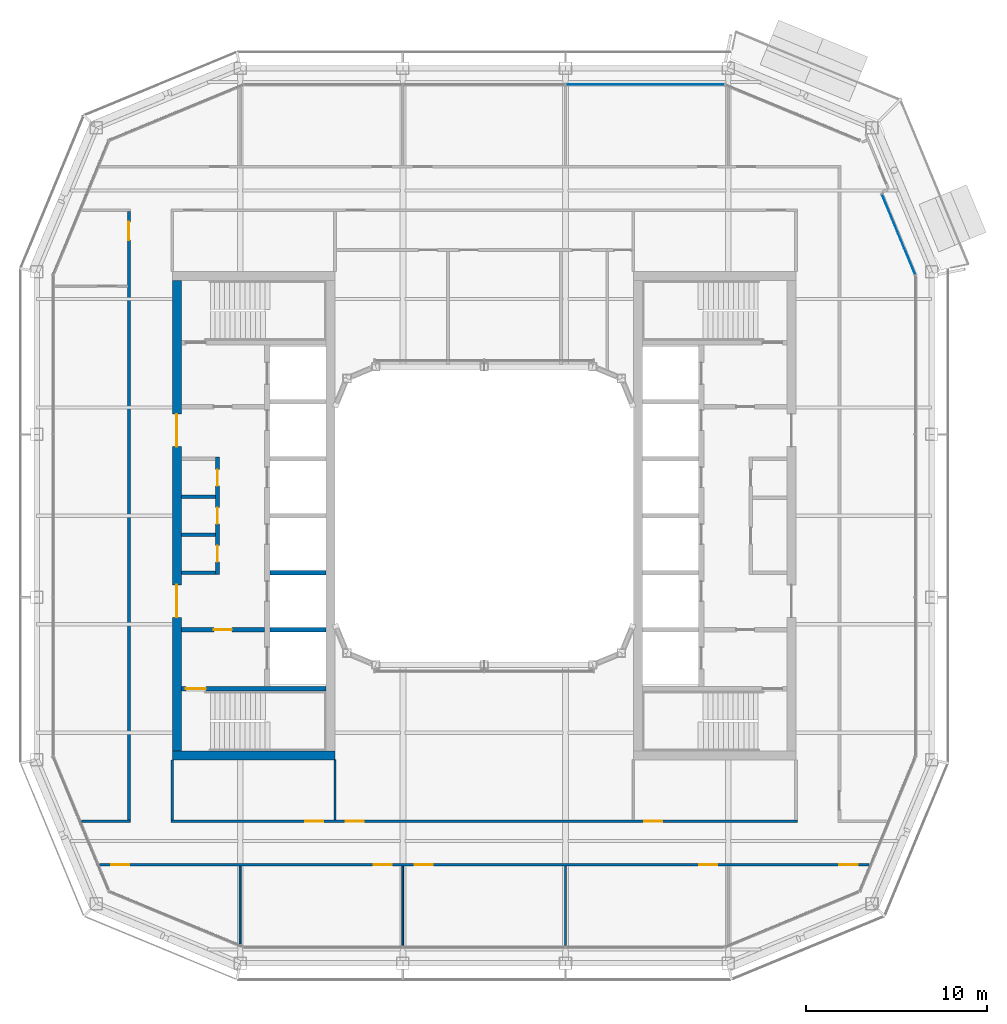
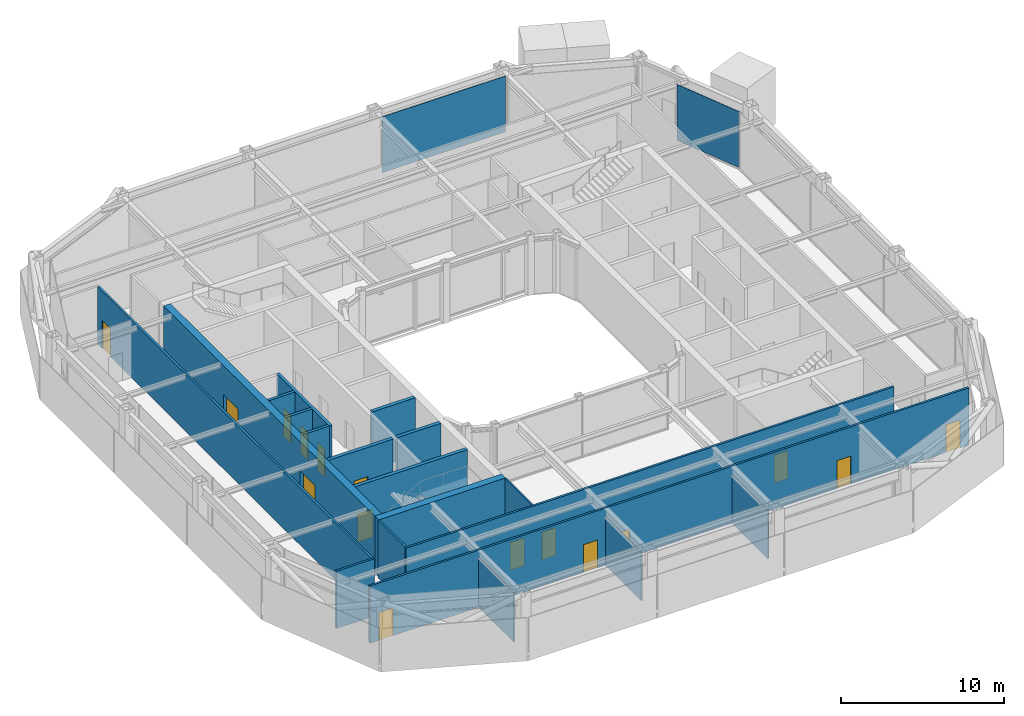
# One storey, part 11 of 21: 19 walls, 16 doors, 2 plates, 16 openings, 2 elements without a shape of their own.
"""IFC4 building model written with IfcOpenShell, lengths in metres."""

from ifc_helpers import new_model, si_unit, direction, frame, frame_2d, origin, origin_2d, place, context, subcontext, project, spatial, rectangle, extrude, material, layer, layer_set, type_object, element, fill, aggregate, save


model = new_model("IFC4")

# Units and contexts
model_context = context("Model", 3, precision=1e-05, world=origin(), true_north=direction((0.0, 1.0)))
body_context = subcontext(model_context, "Body", "Model", "MODEL_VIEW")
ifc_project = project(units=[si_unit("LENGTHUNIT", "METRE"), si_unit("AREAUNIT", "SQUARE_METRE"), si_unit("VOLUMEUNIT", "CUBIC_METRE"), si_unit("PLANEANGLEUNIT", "RADIAN"), si_unit("MASSUNIT", "GRAM", prefix="KILO")], contexts=[model_context])

# Site, building, storey
site_placement = place(None, origin())
site = spatial("IfcSite", under=ifc_project, at=site_placement, CompositionType="ELEMENT")
building_placement = place(site_placement, origin())
building = spatial("IfcBuilding", under=site, at=building_placement, Name="Siwar Civic Tower", CompositionType="ELEMENT")
storey_placement = place(building_placement, frame((0.0, 0.0, 343.699951171875)))
storey = spatial("IfcBuildingStorey", under=building, at=storey_placement, Name="L74", CompositionType="ELEMENT", Elevation=343.699951171875)

# Curtain wall, plate
ifc_material_1 = material(Name="Aluminium and glass", Category="aluminium")
ifc_layer_1 = layer(ifc_material_1, 0.159912109375)
ifc_layer_set_1 = layer_set([ifc_layer_1], Name="Aluminium and glass")
curtain_wall_type_1 = type_object("IfcCurtainWallType", Name="ENV-CW-D", PredefinedType="NOTDEFINED", material=ifc_layer_set_1)
curtain_wall_1_placement = place(storey_placement, origin())
curtain_wall_1 = element("IfcCurtainWall", 1, at=curtain_wall_1_placement, inside=storey, type_object=curtain_wall_type_1, Name="Curtain wall D N", PredefinedType="NOTDEFINED")
ifc_material_2 = material(Name="Glass clear laminated", Category="glass")
ifc_layer_2 = layer(ifc_material_2, 0.030029296875)
ifc_layer_set_2 = layer_set([ifc_layer_2], Name="Glass clear laminated")
plate_type_1 = type_object("IfcPlateType", Name="ENV-PANEL-D", PredefinedType="CURTAIN_PANEL", material=ifc_layer_set_2)
plate_1_placement = place(storey_placement, frame((8.910400390625, 23.85009765625, 0.10009765625), z_axis=(0.0, 0.0, 1.0), x_axis=(-1.0, 0.0, 0.0)))
plate_1 = element("IfcPlate", 2, at=plate_1_placement, type_object=plate_type_1, Name="Curtain panel D N 1", PredefinedType="CURTAIN_PANEL", context=body_context, shape_type="SweptSolid", body=[
    extrude(rectangle(XDim=8.760986328125, YDim=0.030029296875, at=origin_2d()), origin(), (0.0, 0.0, 1.0), 4.199951171875),
])
aggregate(curtain_wall_1, [plate_1])

ifc_material_3 = material(Name="Aluminium clad insulated panel", Category="aluminium")
ifc_layer_3 = layer(ifc_material_3, 0.159912109375)
ifc_layer_set_3 = layer_set([ifc_layer_3], Name="Aluminium clad insulated panel")
curtain_wall_type_2 = type_object("IfcCurtainWallType", Name="ENV-CW-DX", PredefinedType="NOTDEFINED", material=ifc_layer_set_3)
curtain_wall_2_placement = place(storey_placement, origin())
curtain_wall_2 = element("IfcCurtainWall", 3, at=curtain_wall_2_placement, inside=storey, type_object=curtain_wall_type_2, Name="Curtain wall D NE1", PredefinedType="NOTDEFINED")
ifc_material_4 = material(Name="Aluminium clad insulated panel", Category="aluminium")
ifc_layer_4 = layer(ifc_material_4, 0.030029296875)
ifc_layer_set_4 = layer_set([ifc_layer_4], Name="Aluminium clad insulated panel")
plate_type_2 = type_object("IfcPlateType", Name="ENV-PANEL-DX", PredefinedType="CURTAIN_PANEL", material=ifc_layer_set_4)
plate_2_placement = place(storey_placement, frame((22.922607421875, 15.56005859375, 0.10009765625), z_axis=(0.0, 0.0, 1.0), x_axis=(-0.382683432365, 0.923879532511, 0.0)))
plate_2 = element("IfcPlate", 4, at=plate_2_placement, type_object=plate_type_2, Name="Curtain panel D NE1 1", PredefinedType="CURTAIN_PANEL", context=body_context, shape_type="SweptSolid", body=[
    extrude(rectangle(XDim=4.787109375, YDim=0.030029296875, at=origin_2d()), origin(), (0.0, 0.0, 1.0), 4.199951171875),
])
aggregate(curtain_wall_2, [plate_2])

# Wall, openings, doors
ifc_material_5 = material(Name="Gypsum board on steel studs", Category="steel")
ifc_layer_5 = layer(ifc_material_5, 0.199951171875)
ifc_layer_set_5 = layer_set([ifc_layer_5], Name="Gypsum board on steel studs")
wall_type_1 = type_object("IfcWallType", Name="CORE-PARTITION-200", PredefinedType="PARTITIONING", material=ifc_layer_set_5)
wall_1_placement = place(storey_placement, frame((-14.75, -3.25, 0.0), z_axis=(0.0, 0.0, 1.0), x_axis=(0.0, 1.0, 0.0)))
wall_1 = element("IfcWall", 5, at=wall_1_placement, inside=storey, type_object=wall_type_1, Name="Core partition W", PredefinedType="PARTITIONING", context=body_context, shape_type="SweptSolid", body=[
    extrude(rectangle(XDim=6.5, YDim=0.199951171875, at=frame_2d((3.25, 0.0))), origin(), (0.0, 0.0, 1.0), 4.300048828125),
])
opening_1_placement = place(wall_1_placement, frame((0.699951171875, 0.0, 0.0)))
opening_1 = element("IfcOpeningElement", 6, at=opening_1_placement, cuts=wall_1, Name="Opening L74-CW13", PredefinedType="OPENING", context=body_context, shape_type="SweptSolid", body=[
    extrude(rectangle(XDim=0.89990234375, YDim=2.10009765625, at=frame_2d((0.449951171875, 1.050048828125))), frame((0.0, 0.10986328125, 0.0), z_axis=(0.0, -1.0, 0.0), x_axis=(1.0, 0.0, 0.0)), (0.0, 0.0, 1.0), 0.219970703125),
])
opening_2_placement = place(wall_1_placement, frame((2.800048828125, 0.0, 0.0)))
opening_2 = element("IfcOpeningElement", 7, at=opening_2_placement, cuts=wall_1, Name="Opening L74-CW14", PredefinedType="OPENING", context=body_context, shape_type="SweptSolid", body=[
    extrude(rectangle(XDim=0.89990234375, YDim=2.10009765625, at=frame_2d((0.449951171875, 1.050048828125))), frame((0.0, 0.10986328125, 0.0), z_axis=(0.0, -1.0, 0.0), x_axis=(1.0, 0.0, 0.0)), (0.0, 0.0, 1.0), 0.219970703125),
])
opening_3_placement = place(wall_1_placement, frame((4.89990234375, 0.0, 0.0)))
opening_3 = element("IfcOpeningElement", 8, at=opening_3_placement, cuts=wall_1, Name="Opening L74-CW15", PredefinedType="OPENING", context=body_context, shape_type="SweptSolid", body=[
    extrude(rectangle(XDim=0.89990234375, YDim=2.10009765625, at=frame_2d((0.449951171875, 1.050048828125))), frame((0.0, 0.10986328125, 0.0), z_axis=(0.0, -1.0, 0.0), x_axis=(1.0, 0.0, 0.0)), (0.0, 0.0, 1.0), 0.219970703125),
])
ifc_material_6 = material(Name="Steel door leaf", Category="steel")
door_type_1 = type_object("IfcDoorType", Name="CORE-DOOR-ROOM", OperationType="SINGLE_SWING_LEFT", PredefinedType="DOOR", material=ifc_material_6)
door_1_placement = place(opening_1_placement, origin())
door_1 = element("IfcDoor", 9, at=door_1_placement, inside=storey, type_object=door_type_1, Name="Core room door L74-CW13", OperationType="SINGLE_SWING_RIGHT", OverallHeight=2.10009765625, OverallWidth=0.89990234375, PredefinedType="DOOR", context=body_context, shape_type="SweptSolid", body=[
    extrude(rectangle(XDim=0.89990234375, YDim=2.10009765625, at=frame_2d((0.449951171875, 1.050048828125))), frame((0.0, 0.02490234375, 0.0), z_axis=(0.0, -1.0, 0.0), x_axis=(1.0, 0.0, 0.0)), (0.0, 0.0, 1.0), 0.050048828125),
])
fill(opening_1, door_1)
door_2_placement = place(opening_2_placement, origin())
door_2 = element("IfcDoor", 10, at=door_2_placement, inside=storey, type_object=door_type_1, Name="Core room door L74-CW14", OperationType="SINGLE_SWING_RIGHT", OverallHeight=2.10009765625, OverallWidth=0.89990234375, PredefinedType="DOOR", context=body_context, shape_type="SweptSolid", body=[
    extrude(rectangle(XDim=0.89990234375, YDim=2.10009765625, at=frame_2d((0.449951171875, 1.050048828125))), frame((0.0, 0.02490234375, 0.0), z_axis=(0.0, -1.0, 0.0), x_axis=(1.0, 0.0, 0.0)), (0.0, 0.0, 1.0), 0.050048828125),
])
fill(opening_2, door_2)
door_3_placement = place(opening_3_placement, origin())
door_3 = element("IfcDoor", 11, at=door_3_placement, inside=storey, type_object=door_type_1, Name="Core room door L74-CW15", OperationType="SINGLE_SWING_RIGHT", OverallHeight=2.10009765625, OverallWidth=0.89990234375, PredefinedType="DOOR", context=body_context, shape_type="SweptSolid", body=[
    extrude(rectangle(XDim=0.89990234375, YDim=2.10009765625, at=frame_2d((0.449951171875, 1.050048828125))), frame((0.0, 0.02490234375, 0.0), z_axis=(0.0, -1.0, 0.0), x_axis=(1.0, 0.0, 0.0)), (0.0, 0.0, 1.0), 0.050048828125),
])
fill(opening_3, door_3)

# Walls
for number, where, z_axis, x_axis, name in (
    (12, (-14.85009765625, -3.14990234375, 0.0), (0.0, 0.0, 1.0), (-1.0, 0.0, 0.0), "Core partition W"),
    (13, (-14.85009765625, -1.050048828125, 0.0), (0.0, 0.0, 1.0), (-1.0, 0.0, 0.0), "Core partition W"),
    (14, (-14.85009765625, 1.050048828125, 0.0), (0.0, 0.0, 1.0), (-1.0, 0.0, 0.0), "Core partition W"),
):
    element("IfcWall", number, at=place(storey_placement, frame(where, z_axis=z_axis, x_axis=x_axis)), inside=storey, type_object=wall_type_1, Name=name, PredefinedType="PARTITIONING", context=body_context, shape_type="SweptSolid", body=[
        extrude(rectangle(XDim=1.89990234375, YDim=0.199951171875, at=frame_2d((0.949951171875, 0.0))), origin(), (0.0, 0.0, 1.0), 4.300048828125),
    ])

# Wall, opening, door
ifc_material_7 = material(Name="Concrete C60/75", Category="concrete")
ifc_layer_6 = layer(ifc_material_7, 0.25)
ifc_layer_set_6 = layer_set([ifc_layer_6], Name="Concrete C60/75")
wall_type_2 = type_object("IfcWallType", Name="CORE-WALL-RC250", PredefinedType="SHEAR", material=ifc_layer_set_6)
wall_2_placement = place(storey_placement, frame((-12.14990234375, -6.300048828125, 0.0), z_axis=(0.0, 0.0, 1.0), x_axis=(-1.0, 0.0, 0.0)))
wall_2 = element("IfcWall", 15, at=wall_2_placement, inside=storey, type_object=wall_type_2, Name="Core wall W", PredefinedType="SHEAR", context=body_context, shape_type="SweptSolid", body=[
    extrude(rectangle(XDim=4.60009765625, YDim=0.25, at=frame_2d((2.300048828125, 0.0))), origin(), (0.0, 0.0, 1.0), 4.300048828125),
])
opening_4_placement = place(wall_2_placement, frame((1.800048828125, 0.0, 0.0)))
opening_4 = element("IfcOpeningElement", 16, at=opening_4_placement, cuts=wall_2, Name="Opening L74-CW02", PredefinedType="OPENING", context=body_context, shape_type="SweptSolid", body=[
    extrude(rectangle(XDim=1.0, YDim=2.10009765625, at=frame_2d((0.5, 1.050048828125))), frame((0.0, 0.135009765625, 0.0), z_axis=(0.0, -1.0, 0.0), x_axis=(1.0, 0.0, 0.0)), (0.0, 0.0, 1.0), 0.27001953125),
])
ifc_material_8 = material(Name="Steel door leaf", Category="steel")
door_type_2 = type_object("IfcDoorType", Name="CORE-DOOR-FD30S", OperationType="SINGLE_SWING_LEFT", PredefinedType="DOOR", material=ifc_material_8)
door_4_placement = place(opening_4_placement, origin())
door_4 = element("IfcDoor", 17, at=door_4_placement, inside=storey, type_object=door_type_2, Name="Service lobby door L74-CW02", OperationType="SINGLE_SWING_RIGHT", OverallHeight=2.10009765625, OverallWidth=1.0, PredefinedType="DOOR", context=body_context, shape_type="SweptSolid", body=[
    extrude(rectangle(XDim=1.0, YDim=2.10009765625, at=frame_2d((0.5, 1.050048828125))), frame((0.0, 0.02490234375, 0.0), z_axis=(0.0, -1.0, 0.0), x_axis=(1.0, 0.0, 0.0)), (0.0, 0.0, 1.0), 0.050048828125),
])
fill(opening_4, door_4)

# Walls
for number, where, z_axis, x_axis, name in (
    (18, (-8.75, -3.14990234375, 0.0), (0.0, 0.0, 1.0), (-1.0, 0.0, 0.0), "Core wall W"),
    (19, (-8.75, -6.300048828125, 0.0), (0.0, 0.0, 1.0), (-1.0, 0.0, 0.0), "Core wall W"),
):
    element("IfcWall", number, at=place(storey_placement, frame(where, z_axis=z_axis, x_axis=x_axis)), inside=storey, type_object=wall_type_2, Name=name, PredefinedType="SHEAR", context=body_context, shape_type="SweptSolid", body=[
        extrude(rectangle(XDim=3.10009765625, YDim=0.25, at=frame_2d((1.550048828125, 0.0))), origin(), (0.0, 0.0, 1.0), 4.300048828125),
    ])

# Wall, opening, door
wall_3_placement = place(storey_placement, frame((-8.75, -9.574951171875, 0.0), z_axis=(0.0, 0.0, 1.0), x_axis=(-1.0, 0.0, 0.0)))
wall_3 = element("IfcWall", 20, at=wall_3_placement, inside=storey, type_object=wall_type_2, Name="Core wall W", PredefinedType="SHEAR", context=body_context, shape_type="SweptSolid", body=[
    extrude(rectangle(XDim=8.0, YDim=0.25, at=frame_2d((4.0, 0.0))), origin(), (0.0, 0.0, 1.0), 4.300048828125),
])
opening_5_placement = place(wall_3_placement, frame((6.64990234375, 0.0, 0.0)))
opening_5 = element("IfcOpeningElement", 21, at=opening_5_placement, cuts=wall_3, Name="Opening L74-CW04", PredefinedType="OPENING", context=body_context, shape_type="SweptSolid", body=[
    extrude(rectangle(XDim=1.10009765625, YDim=2.10009765625, at=frame_2d((0.550048828125, 1.050048828125))), frame((0.0, 0.135009765625, 0.0), z_axis=(0.0, -1.0, 0.0), x_axis=(1.0, 0.0, 0.0)), (0.0, 0.0, 1.0), 0.27001953125),
])
ifc_material_9 = material(Name="Steel door leaf", Category="steel")
door_type_3 = type_object("IfcDoorType", Name="CORE-DOOR-FD60S", OperationType="SINGLE_SWING_LEFT", PredefinedType="DOOR", material=ifc_material_9)
door_5_placement = place(opening_5_placement, origin())
door_5 = element("IfcDoor", 22, at=door_5_placement, inside=storey, type_object=door_type_3, Name="Stair door L74-CW04", OperationType="SINGLE_SWING_LEFT", OverallHeight=2.10009765625, OverallWidth=1.10009765625, PredefinedType="DOOR", context=body_context, shape_type="SweptSolid", body=[
    extrude(rectangle(XDim=1.10009765625, YDim=2.10009765625, at=frame_2d((0.550048828125, 1.050048828125))), frame((0.0, 0.02490234375, 0.0), z_axis=(0.0, -1.0, 0.0), x_axis=(1.0, 0.0, 0.0)), (0.0, 0.0, 1.0), 0.050048828125),
])
fill(opening_5, door_5)

# Wall, openings, doors
ifc_material_10 = material(Name="Concrete C60/75", Category="concrete")
ifc_layer_7 = layer(ifc_material_10, 0.5)
ifc_layer_set_7 = layer_set([ifc_layer_7], Name="Concrete C60/75")
wall_type_3 = type_object("IfcWallType", Name="CORE-WALL-RC500", PredefinedType="SHEAR", material=ifc_layer_set_7)
wall_4_placement = place(storey_placement, frame((-17.0, -13.0, 0.0), z_axis=(0.0, 0.0, 1.0), x_axis=(0.0, 1.0, 0.0)))
wall_4 = element("IfcWall", 23, at=wall_4_placement, inside=storey, type_object=wall_type_3, Name="Core wall W", PredefinedType="SHEAR", context=body_context, shape_type="SweptSolid", body=[
    extrude(rectangle(XDim=26.0, YDim=0.5, at=frame_2d((13.0, 0.0))), origin(), (0.0, 0.0, 1.0), 4.300048828125),
])
opening_6_placement = place(wall_4_placement, frame((16.824951171875, 0.0, 0.0)))
opening_6 = element("IfcOpeningElement", 24, at=opening_6_placement, cuts=wall_4, Name="Opening L74-CW05", PredefinedType="OPENING", context=body_context, shape_type="SweptSolid", body=[
    extrude(rectangle(XDim=1.800048828125, YDim=2.10009765625, at=frame_2d((0.89990234375, 1.050048828125))), frame((0.0, 0.260009765625, 0.0), z_axis=(0.0, -1.0, 0.0), x_axis=(1.0, 0.0, 0.0)), (0.0, 0.0, 1.0), 0.52001953125),
])
opening_7_placement = place(wall_4_placement, frame((7.375, 0.0, 0.0)))
opening_7 = element("IfcOpeningElement", 25, at=opening_7_placement, cuts=wall_4, Name="Opening L74-CW06", PredefinedType="OPENING", context=body_context, shape_type="SweptSolid", body=[
    extrude(rectangle(XDim=1.800048828125, YDim=2.10009765625, at=frame_2d((0.89990234375, 1.050048828125))), frame((0.0, 0.260009765625, 0.0), z_axis=(0.0, -1.0, 0.0), x_axis=(1.0, 0.0, 0.0)), (0.0, 0.0, 1.0), 0.52001953125),
])
ifc_material_11 = material(Name="Steel door leaf", Category="steel")
door_type_4 = type_object("IfcDoorType", Name="CORE-DOOR-PORT", OperationType="DOUBLE_DOOR_DOUBLE_SWING", PredefinedType="DOOR", material=ifc_material_11)
door_6_placement = place(opening_6_placement, origin())
door_6 = element("IfcDoor", 26, at=door_6_placement, inside=storey, type_object=door_type_4, Name="Core entrance door L74-CW05", OperationType="DOUBLE_DOOR_DOUBLE_SWING", OverallHeight=2.10009765625, OverallWidth=1.800048828125, PredefinedType="DOOR", context=body_context, shape_type="SweptSolid", body=[
    extrude(rectangle(XDim=1.800048828125, YDim=2.10009765625, at=frame_2d((0.89990234375, 1.050048828125))), frame((0.0, 0.02490234375, 0.0), z_axis=(0.0, -1.0, 0.0), x_axis=(1.0, 0.0, 0.0)), (0.0, 0.0, 1.0), 0.050048828125),
])
fill(opening_6, door_6)
door_7_placement = place(opening_7_placement, origin())
door_7 = element("IfcDoor", 27, at=door_7_placement, inside=storey, type_object=door_type_4, Name="Core entrance door L74-CW06", OperationType="DOUBLE_DOOR_DOUBLE_SWING", OverallHeight=2.10009765625, OverallWidth=1.800048828125, PredefinedType="DOOR", context=body_context, shape_type="SweptSolid", body=[
    extrude(rectangle(XDim=1.800048828125, YDim=2.10009765625, at=frame_2d((0.89990234375, 1.050048828125))), frame((0.0, 0.02490234375, 0.0), z_axis=(0.0, -1.0, 0.0), x_axis=(1.0, 0.0, 0.0)), (0.0, 0.0, 1.0), 0.050048828125),
])
fill(opening_7, door_7)

# Wall
wall_5_placement = place(storey_placement, frame((-8.25, -13.25, 0.0), z_axis=(0.0, 0.0, 1.0), x_axis=(-1.0, 0.0, 0.0)))
element("IfcWall", 28, at=wall_5_placement, inside=storey, type_object=wall_type_3, Name="Core wall W", PredefinedType="SHEAR", context=body_context, shape_type="SweptSolid", body=[
    extrude(rectangle(XDim=9.0, YDim=0.5, at=frame_2d((4.5, 0.0))), origin(), (0.0, 0.0, 1.0), 4.300048828125),
])

# Wall, openings, doors
ifc_material_12 = material(Name="Gypsum board on steel studs", Category="steel")
ifc_layer_8 = layer(ifc_material_12, 0.14990234375)
ifc_layer_set_8 = layer_set([ifc_layer_8], Name="Gypsum board on steel studs")
wall_type_4 = type_object("IfcWallType", Name="CORRIDOR PARTITION 150 EI 30", PredefinedType="PARTITIONING", material=ifc_layer_set_8)
wall_6_placement = place(storey_placement, frame((-21.27587890625, -19.300048828125, 0.0), z_axis=(0.0, 0.0, 1.0), x_axis=(1.0, 0.0, 0.0)))
wall_6 = element("IfcWall", 29, at=wall_6_placement, inside=storey, type_object=wall_type_4, Name="L74/wall/P01", PredefinedType="PARTITIONING", context=body_context, shape_type="SweptSolid", body=[
    extrude(rectangle(XDim=42.5517578125, YDim=0.14990234375, at=frame_2d((21.27587890625, 0.0))), origin(), (0.0, 0.0, 1.0), 4.300048828125),
])
opening_8_placement = place(wall_6_placement, frame((15.176025390625, 0.0, 0.0)))
opening_8 = element("IfcOpeningElement", 30, at=opening_8_placement, cuts=wall_6, Name="Opening D1", PredefinedType="OPENING", context=body_context, shape_type="SweptSolid", body=[
    extrude(rectangle(XDim=1.0, YDim=2.10009765625, at=frame_2d((0.5, 1.050048828125))), frame((0.0, 0.0849609375, 0.0), z_axis=(0.0, -1.0, 0.0), x_axis=(1.0, 0.0, 0.0)), (0.0, 0.0, 1.0), 0.169921875),
])
opening_9_placement = place(wall_6_placement, frame((17.426025390625, 0.0, 0.0)))
opening_9 = element("IfcOpeningElement", 31, at=opening_9_placement, cuts=wall_6, Name="Opening D1", PredefinedType="OPENING", context=body_context, shape_type="SweptSolid", body=[
    extrude(rectangle(XDim=1.0, YDim=2.10009765625, at=frame_2d((0.5, 1.050048828125))), frame((0.0, 0.0849609375, 0.0), z_axis=(0.0, -1.0, 0.0), x_axis=(1.0, 0.0, 0.0)), (0.0, 0.0, 1.0), 0.169921875),
])
opening_10_placement = place(wall_6_placement, frame((33.176025390625, 0.0, 0.0)))
opening_10 = element("IfcOpeningElement", 32, at=opening_10_placement, cuts=wall_6, Name="Opening D1", PredefinedType="OPENING", context=body_context, shape_type="SweptSolid", body=[
    extrude(rectangle(XDim=1.0, YDim=2.10009765625, at=frame_2d((0.5, 1.050048828125))), frame((0.0, 0.0849609375, 0.0), z_axis=(0.0, -1.0, 0.0), x_axis=(1.0, 0.0, 0.0)), (0.0, 0.0, 1.0), 0.169921875),
])
opening_11_placement = place(wall_6_placement, frame((0.64990234375, 0.0, 0.0)))
opening_11 = element("IfcOpeningElement", 33, at=opening_11_placement, cuts=wall_6, Name="Opening D1", PredefinedType="OPENING", context=body_context, shape_type="SweptSolid", body=[
    extrude(rectangle(XDim=1.0, YDim=2.10009765625, at=frame_2d((0.5, 1.050048828125))), frame((0.0, 0.0849609375, 0.0), z_axis=(0.0, -1.0, 0.0), x_axis=(1.0, 0.0, 0.0)), (0.0, 0.0, 1.0), 0.169921875),
])
opening_12_placement = place(wall_6_placement, frame((40.926025390625, 0.0, 0.0)))
opening_12 = element("IfcOpeningElement", 34, at=opening_12_placement, cuts=wall_6, Name="Opening D1", PredefinedType="OPENING", context=body_context, shape_type="SweptSolid", body=[
    extrude(rectangle(XDim=1.0, YDim=2.10009765625, at=frame_2d((0.5, 1.050048828125))), frame((0.0, 0.0849609375, 0.0), z_axis=(0.0, -1.0, 0.0), x_axis=(1.0, 0.0, 0.0)), (0.0, 0.0, 1.0), 0.169921875),
])
ifc_material_13 = material(Name="Timber, painted", Category="wood")
door_type_5 = type_object("IfcDoorType", Name="DOOR 1000 X 2100 FD30", OperationType="SINGLE_SWING_LEFT", PredefinedType="DOOR", material=ifc_material_13)
door_8_placement = place(opening_8_placement, origin())
door_8 = element("IfcDoor", 35, at=door_8_placement, inside=storey, type_object=door_type_5, Name="L74-D04", OperationType="SINGLE_SWING_RIGHT", OverallHeight=2.10009765625, OverallWidth=1.0, PredefinedType="DOOR", context=body_context, shape_type="SweptSolid", body=[
    extrude(rectangle(XDim=1.0, YDim=2.10009765625, at=frame_2d((0.5, 1.050048828125))), frame((0.0, 0.02490234375, 0.0), z_axis=(0.0, -1.0, 0.0), x_axis=(1.0, 0.0, 0.0)), (0.0, 0.0, 1.0), 0.050048828125),
])
fill(opening_8, door_8)
door_9_placement = place(opening_9_placement, origin())
door_9 = element("IfcDoor", 36, at=door_9_placement, inside=storey, type_object=door_type_5, Name="L74-D05", OperationType="SINGLE_SWING_LEFT", OverallHeight=2.10009765625, OverallWidth=1.0, PredefinedType="DOOR", context=body_context, shape_type="SweptSolid", body=[
    extrude(rectangle(XDim=1.0, YDim=2.10009765625, at=frame_2d((0.5, 1.050048828125))), frame((0.0, 0.02490234375, 0.0), z_axis=(0.0, -1.0, 0.0), x_axis=(1.0, 0.0, 0.0)), (0.0, 0.0, 1.0), 0.050048828125),
])
fill(opening_9, door_9)
door_10_placement = place(opening_10_placement, origin())
door_10 = element("IfcDoor", 37, at=door_10_placement, inside=storey, type_object=door_type_5, Name="L74-D06", OperationType="SINGLE_SWING_RIGHT", OverallHeight=2.10009765625, OverallWidth=1.0, PredefinedType="DOOR", context=body_context, shape_type="SweptSolid", body=[
    extrude(rectangle(XDim=1.0, YDim=2.10009765625, at=frame_2d((0.5, 1.050048828125))), frame((0.0, 0.02490234375, 0.0), z_axis=(0.0, -1.0, 0.0), x_axis=(1.0, 0.0, 0.0)), (0.0, 0.0, 1.0), 0.050048828125),
])
fill(opening_10, door_10)
door_11_placement = place(opening_11_placement, origin())
door_11 = element("IfcDoor", 38, at=door_11_placement, inside=storey, type_object=door_type_5, Name="L74-D09", OperationType="SINGLE_SWING_LEFT", OverallHeight=2.10009765625, OverallWidth=1.0, PredefinedType="DOOR", context=body_context, shape_type="SweptSolid", body=[
    extrude(rectangle(XDim=1.0, YDim=2.10009765625, at=frame_2d((0.5, 1.050048828125))), frame((0.0, 0.02490234375, 0.0), z_axis=(0.0, -1.0, 0.0), x_axis=(1.0, 0.0, 0.0)), (0.0, 0.0, 1.0), 0.050048828125),
])
fill(opening_11, door_11)
door_12_placement = place(opening_12_placement, origin())
door_12 = element("IfcDoor", 39, at=door_12_placement, inside=storey, type_object=door_type_5, Name="L74-D10", OperationType="SINGLE_SWING_RIGHT", OverallHeight=2.10009765625, OverallWidth=1.0, PredefinedType="DOOR", context=body_context, shape_type="SweptSolid", body=[
    extrude(rectangle(XDim=1.0, YDim=2.10009765625, at=frame_2d((0.5, 1.050048828125))), frame((0.0, 0.02490234375, 0.0), z_axis=(0.0, -1.0, 0.0), x_axis=(1.0, 0.0, 0.0)), (0.0, 0.0, 1.0), 0.050048828125),
])
fill(opening_12, door_12)

# Wall
wall_7_placement = place(storey_placement, frame((-22.27001953125, -16.89990234375, 0.0), z_axis=(0.0, 0.0, 1.0), x_axis=(1.0, 0.0, 0.0)))
element("IfcWall", 40, at=wall_7_placement, inside=storey, type_object=wall_type_4, Name="L74/wall/P02", PredefinedType="PARTITIONING", context=body_context, shape_type="SweptSolid", body=[
    extrude(rectangle(XDim=2.695068359375, YDim=0.14990234375, at=frame_2d((1.34765625, 0.0))), origin(), (0.0, 0.0, 1.0), 4.300048828125),
])

# Wall, openings, doors
wall_8_placement = place(storey_placement, frame((-17.324951171875, -16.89990234375, 0.0), z_axis=(0.0, 0.0, 1.0), x_axis=(1.0, 0.0, 0.0)))
wall_8 = element("IfcWall", 41, at=wall_8_placement, inside=storey, type_object=wall_type_4, Name="L74/wall/P03", PredefinedType="PARTITIONING", context=body_context, shape_type="SweptSolid", body=[
    extrude(rectangle(XDim=34.64990234375, YDim=0.14990234375, at=frame_2d((17.324951171875, 0.0))), origin(), (0.0, 0.0, 1.0), 4.300048828125),
])
opening_13_placement = place(wall_8_placement, frame((9.675048828125, 0.0, 0.0)))
opening_13 = element("IfcOpeningElement", 42, at=opening_13_placement, cuts=wall_8, Name="Opening D1", PredefinedType="OPENING", context=body_context, shape_type="SweptSolid", body=[
    extrude(rectangle(XDim=1.0, YDim=2.10009765625, at=frame_2d((0.5, 1.050048828125))), frame((0.0, 0.0849609375, 0.0), z_axis=(0.0, -1.0, 0.0), x_axis=(1.0, 0.0, 0.0)), (0.0, 0.0, 1.0), 0.169921875),
])
opening_14_placement = place(wall_8_placement, frame((7.425048828125, 0.0, 0.0)))
opening_14 = element("IfcOpeningElement", 43, at=opening_14_placement, cuts=wall_8, Name="Opening D1", PredefinedType="OPENING", context=body_context, shape_type="SweptSolid", body=[
    extrude(rectangle(XDim=1.0, YDim=2.10009765625, at=frame_2d((0.5, 1.050048828125))), frame((0.0, 0.0849609375, 0.0), z_axis=(0.0, -1.0, 0.0), x_axis=(1.0, 0.0, 0.0)), (0.0, 0.0, 1.0), 0.169921875),
])
opening_15_placement = place(wall_8_placement, frame((26.175048828125, 0.0, 0.0)))
opening_15 = element("IfcOpeningElement", 44, at=opening_15_placement, cuts=wall_8, Name="Opening D1", PredefinedType="OPENING", context=body_context, shape_type="SweptSolid", body=[
    extrude(rectangle(XDim=1.0, YDim=2.10009765625, at=frame_2d((0.5, 1.050048828125))), frame((0.0, 0.0849609375, 0.0), z_axis=(0.0, -1.0, 0.0), x_axis=(1.0, 0.0, 0.0)), (0.0, 0.0, 1.0), 0.169921875),
])
door_13_placement = place(opening_13_placement, origin())
door_13 = element("IfcDoor", 45, at=door_13_placement, inside=storey, type_object=door_type_5, Name="L74-D16", OperationType="SINGLE_SWING_RIGHT", OverallHeight=2.10009765625, OverallWidth=1.0, PredefinedType="DOOR", context=body_context, shape_type="SweptSolid", body=[
    extrude(rectangle(XDim=1.0, YDim=2.10009765625, at=frame_2d((0.5, 1.050048828125))), frame((0.0, 0.02490234375, 0.0), z_axis=(0.0, -1.0, 0.0), x_axis=(1.0, 0.0, 0.0)), (0.0, 0.0, 1.0), 0.050048828125),
])
fill(opening_13, door_13)
door_14_placement = place(opening_14_placement, origin())
door_14 = element("IfcDoor", 46, at=door_14_placement, inside=storey, type_object=door_type_5, Name="L74-D19", OperationType="SINGLE_SWING_LEFT", OverallHeight=2.10009765625, OverallWidth=1.0, PredefinedType="DOOR", context=body_context, shape_type="SweptSolid", body=[
    extrude(rectangle(XDim=1.0, YDim=2.10009765625, at=frame_2d((0.5, 1.050048828125))), frame((0.0, 0.02490234375, 0.0), z_axis=(0.0, -1.0, 0.0), x_axis=(1.0, 0.0, 0.0)), (0.0, 0.0, 1.0), 0.050048828125),
])
fill(opening_14, door_14)
door_15_placement = place(opening_15_placement, origin())
door_15 = element("IfcDoor", 47, at=door_15_placement, inside=storey, type_object=door_type_5, Name="L74-D20", OperationType="SINGLE_SWING_RIGHT", OverallHeight=2.10009765625, OverallWidth=1.0, PredefinedType="DOOR", context=body_context, shape_type="SweptSolid", body=[
    extrude(rectangle(XDim=1.0, YDim=2.10009765625, at=frame_2d((0.5, 1.050048828125))), frame((0.0, 0.02490234375, 0.0), z_axis=(0.0, -1.0, 0.0), x_axis=(1.0, 0.0, 0.0)), (0.0, 0.0, 1.0), 0.050048828125),
])
fill(opening_15, door_15)

# Wall, opening, door
wall_9_placement = place(storey_placement, frame((-19.64990234375, -16.824951171875, 0.0), z_axis=(0.0, 0.0, 1.0), x_axis=(0.0, 1.0, 0.0)))
wall_9 = element("IfcWall", 48, at=wall_9_placement, inside=storey, type_object=wall_type_4, Name="L74/wall/P11", PredefinedType="PARTITIONING", context=body_context, shape_type="SweptSolid", body=[
    extrude(rectangle(XDim=33.64990234375, YDim=0.14990234375, at=frame_2d((16.824951171875, 0.0))), origin(), (0.0, 0.0, 1.0), 4.300048828125),
])
opening_16_placement = place(wall_9_placement, frame((32.074951171875, 0.0, 0.0)))
opening_16 = element("IfcOpeningElement", 49, at=opening_16_placement, cuts=wall_9, Name="Opening D1", PredefinedType="OPENING", context=body_context, shape_type="SweptSolid", body=[
    extrude(rectangle(XDim=1.0, YDim=2.10009765625, at=frame_2d((0.5, 1.050048828125))), frame((0.0, 0.0849609375, 0.0), z_axis=(0.0, -1.0, 0.0), x_axis=(1.0, 0.0, 0.0)), (0.0, 0.0, 1.0), 0.169921875),
])
door_16_placement = place(opening_16_placement, origin())
door_16 = element("IfcDoor", 50, at=door_16_placement, inside=storey, type_object=door_type_5, Name="L74-D21", OperationType="SINGLE_SWING_LEFT", OverallHeight=2.10009765625, OverallWidth=1.0, PredefinedType="DOOR", context=body_context, shape_type="SweptSolid", body=[
    extrude(rectangle(XDim=1.0, YDim=2.10009765625, at=frame_2d((0.5, 1.050048828125))), frame((0.0, 0.02490234375, 0.0), z_axis=(0.0, -1.0, 0.0), x_axis=(1.0, 0.0, 0.0)), (0.0, 0.0, 1.0), 0.050048828125),
])
fill(opening_16, door_16)

# Walls
wall_10_placement = place(storey_placement, frame((-17.25, -16.824951171875, 0.0), z_axis=(0.0, 0.0, 1.0), x_axis=(0.0, 1.0, 0.0)))
element("IfcWall", 51, at=wall_10_placement, inside=storey, type_object=wall_type_4, Name="L74/wall/P12", PredefinedType="PARTITIONING", context=body_context, shape_type="SweptSolid", body=[
    extrude(rectangle(XDim=3.324951171875, YDim=0.14990234375, at=frame_2d((1.66259765625, 0.0))), origin(), (0.0, 0.0, 1.0), 4.300048828125),
])
ifc_material_14 = material(Name="Gypsum board on steel studs", Category="steel")
ifc_layer_9 = layer(ifc_material_14, 0.10009765625)
ifc_layer_set_9 = layer_set([ifc_layer_9], Name="Gypsum board on steel studs")
wall_type_5 = type_object("IfcWallType", Name="PARTITION 100 GYPSUM", PredefinedType="PARTITIONING", material=ifc_layer_set_9)
wall_11_placement = place(storey_placement, frame((-13.5, -23.677978515625, 0.0), z_axis=(0.0, 0.0, 1.0), x_axis=(0.0, 1.0, 0.0)))
element("IfcWall", 52, at=wall_11_placement, inside=storey, type_object=wall_type_5, Name="L74/wall/P14", PredefinedType="PARTITIONING", context=body_context, shape_type="SweptSolid", body=[
    extrude(rectangle(XDim=4.302978515625, YDim=0.10009765625, at=frame_2d((2.1513671875, 0.0))), origin(), (0.0, 0.0, 1.0), 3.699951171875),
])
wall_12_placement = place(storey_placement, frame((-8.25, -16.824951171875, 0.0), z_axis=(0.0, 0.0, 1.0), x_axis=(0.0, 1.0, 0.0)))
element("IfcWall", 53, at=wall_12_placement, inside=storey, type_object=wall_type_5, Name="L74/wall/P16", PredefinedType="PARTITIONING", context=body_context, shape_type="SweptSolid", body=[
    extrude(rectangle(XDim=3.324951171875, YDim=0.10009765625, at=frame_2d((1.66259765625, 0.0))), origin(), (0.0, 0.0, 1.0), 4.300048828125),
])
for number, where, z_axis, x_axis, name in (
    (54, (-4.5, -23.760009765625, 0.0), (0.0, 0.0, 1.0), (0.0, 1.0, 0.0), "L74/wall/P18"),
    (55, (4.5, -23.760009765625, 0.0), (0.0, 0.0, 1.0), (0.0, 1.0, 0.0), "L74/wall/P22"),
):
    element("IfcWall", number, at=place(storey_placement, frame(where, z_axis=z_axis, x_axis=x_axis)), inside=storey, type_object=wall_type_5, Name=name, PredefinedType="PARTITIONING", context=body_context, shape_type="SweptSolid", body=[
        extrude(rectangle(XDim=4.385009765625, YDim=0.10009765625, at=frame_2d((2.1923828125, 0.0))), origin(), (0.0, 0.0, 1.0), 3.60009765625),
    ])

save(model, "model.ifc")
